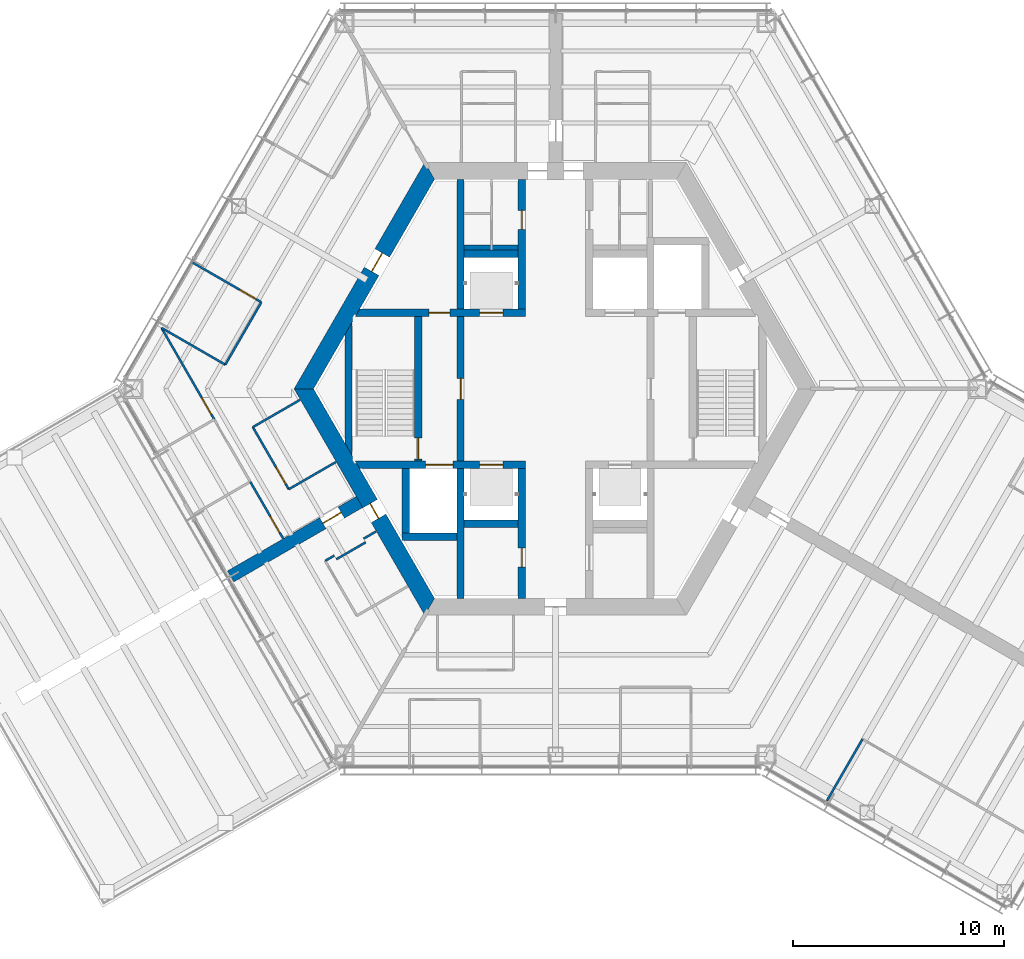
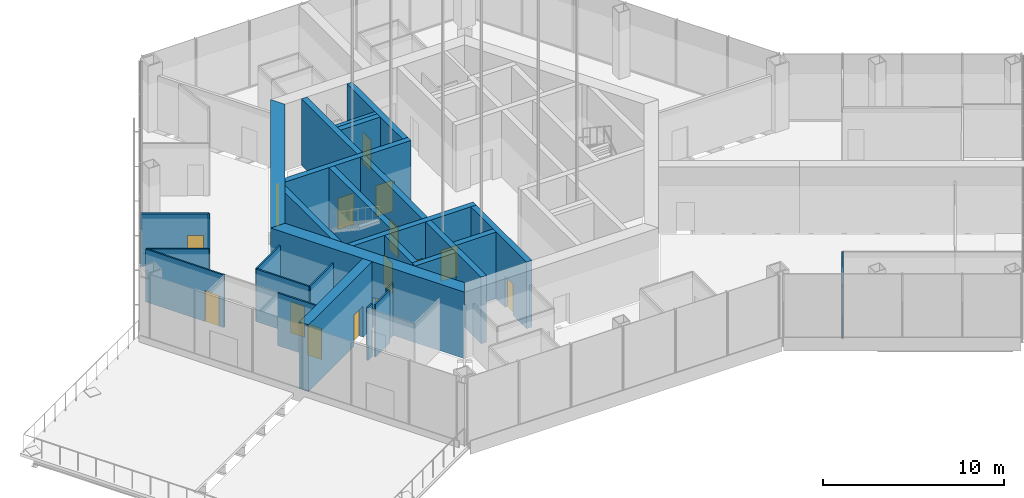
# One storey, part 9 of 17: 29 walls, 15 doors, 15 openings.
"""IFC4 building model written with IfcOpenShell, lengths in metres."""

import ifcopenshell
import ifcopenshell.guid

model = None  # the IFC model being written
_history = None  # IfcOwnerHistory: only IFC2X3 demands one
_inside = {}  # id of a spatial element -> (the spatial element, [elements in it])
_under = {}  # id of a project, library or spatial element -> (it, [spatial elements below it])
_declared = {}  # id of a project -> (the project, [libraries it declares])
_typed = {}  # id of a type object -> (the type object, [elements of that type])
_made_of = {}  # id of a material, layer set ... -> (it, [elements and type objects made of it])


def new_model(schema):
    """Start an empty IFC model of exactly this schema.

    Asked for "IFC4X3", IfcOpenShell would pick the latest addendum, in which some entities
    have other attributes; the version numbers below select the first issue.
    IFC2X3 requires an IfcOwnerHistory on every rooted entity: one is made here for all.
    """
    global model, _history
    if schema == "IFC4X3":
        model = ifcopenshell.file(schema_version=(4, 3, 0, 0))
    else:
        model = ifcopenshell.file(schema=schema)
    _inside.clear()
    _under.clear()
    _declared.clear()
    _typed.clear()
    _made_of.clear()
    _history = None
    if model.schema == "IFC2X3":
        org = make("IfcOrganization", Name="unknown")
        user = make(
            "IfcPersonAndOrganization",
            ThePerson=make("IfcPerson", FamilyName="unknown"),
            TheOrganization=org,
        )
        app = make(
            "IfcApplication",
            ApplicationDeveloper=org,
            Version="unknown",
            ApplicationFullName="unknown",
            ApplicationIdentifier="unknown",
        )
        _history = make(
            "IfcOwnerHistory",
            OwningUser=user,
            OwningApplication=app,
            ChangeAction="ADDED",
            CreationDate=0,
        )
    return model


def make(cls, **values):
    """One entity of the class cls with the attributes given. An attribute that is None is left unset."""
    return model.create_entity(
        cls, **{name: value for name, value in values.items() if value is not None}
    )


def rooted(cls, **values):
    """An entity with a GlobalId (a new one), such as an element, a storey or a relation."""
    return make(cls, GlobalId=ifcopenshell.guid.new(), OwnerHistory=_history, **values)


def si_unit(unit_type, name, prefix=None):
    """IfcSIUnit, for example si_unit("LENGTHUNIT", "METRE", prefix="MILLI")."""
    return make("IfcSIUnit", UnitType=unit_type, Prefix=prefix, Name=name)


def assignment(units):
    """IfcUnitAssignment: the units of a project."""
    return None if units is None else make("IfcUnitAssignment", Units=units)


def point(xyz):
    """IfcCartesianPoint."""
    return None if xyz is None else make("IfcCartesianPoint", Coordinates=xyz)


def direction(xyz):
    """IfcDirection."""
    return None if xyz is None else make("IfcDirection", DirectionRatios=xyz)


def frame(location, z_axis=None, x_axis=None):
    """IfcAxis2Placement3D, a coordinate frame: its origin and axes. An axis left out is left unset."""
    return make(
        "IfcAxis2Placement3D",
        Location=point(location),
        Axis=direction(z_axis),
        RefDirection=direction(x_axis),
    )


def frame_2d(location, x_axis=None):
    """IfcAxis2Placement2D, a coordinate frame in the plane: its origin and x axis."""
    return make(
        "IfcAxis2Placement2D", Location=point(location), RefDirection=direction(x_axis)
    )


def origin():
    """The frame at (0, 0, 0) with its axes left unset."""
    return frame((0.0, 0.0, 0.0))


def place(relative_to, where):
    """IfcLocalPlacement: puts the frame where relative to a parent placement (None: the world)."""
    return make(
        "IfcLocalPlacement", PlacementRelTo=relative_to, RelativePlacement=where
    )


def context(
    kind, dimensions, precision=None, world=None, true_north=None, identifier=None
):
    """IfcGeometricRepresentationContext, for example the 3D "Model" context."""
    return make(
        "IfcGeometricRepresentationContext",
        ContextIdentifier=identifier,
        ContextType=kind,
        CoordinateSpaceDimension=dimensions,
        Precision=precision,
        WorldCoordinateSystem=world,
        TrueNorth=true_north,
    )


def subcontext(parent, identifier, kind, view, scale=None):
    """IfcGeometricRepresentationSubContext, for example "Body" below "Model"."""
    return make(
        "IfcGeometricRepresentationSubContext",
        ContextIdentifier=identifier,
        ContextType=kind,
        ParentContext=parent,
        TargetScale=scale,
        TargetView=view,
    )


def project(units=None, contexts=None):
    """IfcProject with its units and contexts."""
    return rooted(
        "IfcProject",
        Name="project",
        RepresentationContexts=contexts,
        UnitsInContext=assignment(units),
    )


def spatial(cls, under=None, at=None, **own):
    """A site, building, storey or space (cls), placed at a placement, below another one or the project."""
    s = rooted(cls, ObjectPlacement=at, **own)
    if under is not None:
        _under.setdefault(under.id(), (under, []))[1].append(s)
    return s


def polyline(points):
    """IfcPolyline through the points."""
    return make("IfcPolyline", Points=[point(p) for p in points])


def profile(cls, at=None, kind="AREA", **sizes):
    """A parametric profile (cls). Its sizes go by their IFC names, for example OverallWidth=200.0."""
    return make(cls, ProfileType=kind, Position=at, **sizes)


def rectangle(**sizes):
    """IfcRectangleProfileDef."""
    return profile("IfcRectangleProfileDef", **sizes)


def outline(outer, holes=None, kind="AREA"):
    """IfcArbitraryClosedProfileDef: a profile drawn as a closed curve; with holes, ...WithVoids."""
    if holes is None:
        return make("IfcArbitraryClosedProfileDef", ProfileType=kind, OuterCurve=outer)
    return make(
        "IfcArbitraryProfileDefWithVoids",
        ProfileType=kind,
        OuterCurve=outer,
        InnerCurves=holes,
    )


def extrude(swept, where, along, depth):
    """IfcExtrudedAreaSolid: the profile swept, set in the frame where, extruded along a direction by depth."""
    return make(
        "IfcExtrudedAreaSolid",
        SweptArea=swept,
        Position=where,
        ExtrudedDirection=direction(along),
        Depth=depth,
    )


def shape(context_of_items, identifier, shape_type, items):
    """IfcShapeRepresentation: the items that make up one representation, for example the "Body"."""
    return make(
        "IfcShapeRepresentation",
        ContextOfItems=context_of_items,
        RepresentationIdentifier=identifier,
        RepresentationType=shape_type,
        Items=items,
    )


def material(Name=None, Category=None):
    """IfcMaterial."""
    return make("IfcMaterial", Name=Name, Category=Category)


def layer(
    of_material, thickness, ventilated=None, Name=None, Category=None, Priority=None
):
    """IfcMaterialLayer: one layer of a wall or slab, of a material (None: an air gap)."""
    return make(
        "IfcMaterialLayer",
        Material=of_material,
        LayerThickness=thickness,
        IsVentilated=ventilated,
        Name=Name,
        Category=Category,
        Priority=Priority,
    )


def layer_set(layers, Name=None):
    """IfcMaterialLayerSet."""
    return make("IfcMaterialLayerSet", MaterialLayers=layers, LayerSetName=Name)


def made_of(thing, what):
    """Note that an element or type object is made of a material, layer set ...; save() writes the relation."""
    if what is not None:
        _made_of.setdefault(what.id(), (what, []))[1].append(thing)
    return thing


def type_object(cls, material=None, **own):
    """A type object (cls), such as IfcWallType, which elements share."""
    return made_of(rooted(cls, **own), material)


def element(
    cls,
    number,
    at=None,
    inside=None,
    cuts=None,
    type_object=None,
    material=None,
    context=None,
    identifier="Body",
    shape_type=None,
    held_by="IfcProductDefinitionShape",
    body=None,
    shapes=None,
    **own,
):
    """One element of the class cls, such as IfcWall. Its Tag is "e" and its number.

    at: its placement. inside: the storey or other place that contains it. cuts: it is an
    opening in that element (IfcRelVoidsElement). A single representation is given by context,
    identifier, shape_type and body (its items); several are given by shapes. held_by: the class
    of the entity that holds the representations. save() writes the other relations.
    """
    e = rooted(cls, Tag="e%d" % number, ObjectPlacement=at, **own)
    if body is not None:
        shapes = [shape(context, identifier, shape_type, body)]
    if shapes is not None:
        e.Representation = make(held_by, Representations=shapes)
    if inside is not None:
        _inside.setdefault(inside.id(), (inside, []))[1].append(e)
    if cuts is not None:
        rooted(
            "IfcRelVoidsElement", RelatingBuildingElement=cuts, RelatedOpeningElement=e
        )
    if type_object is not None:
        _typed.setdefault(type_object.id(), (type_object, []))[1].append(e)
    return made_of(e, material)


def fill(opening, filler):
    """IfcRelFillsElement: the door or window that sits in an opening."""
    return rooted(
        "IfcRelFillsElement",
        RelatingOpeningElement=opening,
        RelatedBuildingElement=filler,
    )


def aggregate(whole, parts):
    """IfcRelAggregates: a whole, such as a stair, and the parts it consists of."""
    return rooted("IfcRelAggregates", RelatingObject=whole, RelatedObjects=parts)


def save(model, path):
    """Write the relations noted so far, then the file.

    IfcRelAggregates (storeys below a building ...), IfcRelContainedInSpatialStructure (elements
    in a storey), IfcRelDefinesByType, IfcRelAssociatesMaterial and IfcRelDeclares: one each for
    every whole, place, type object, material and project.
    """
    for whole, parts in _under.values():
        aggregate(whole, parts)
    for where, things in _inside.values():
        rooted(
            "IfcRelContainedInSpatialStructure",
            RelatedElements=things,
            RelatingStructure=where,
        )
    for kind, things in _typed.values():
        rooted("IfcRelDefinesByType", RelatedObjects=things, RelatingType=kind)
    for what, things in _made_of.values():
        rooted("IfcRelAssociatesMaterial", RelatedObjects=things, RelatingMaterial=what)
    for by, libraries in _declared.values():
        rooted("IfcRelDeclares", RelatingContext=by, RelatedDefinitions=libraries)
    model.write(path)


model = new_model("IFC4")

# Units and contexts
model_context = context("Model", 3, precision=1e-05, world=origin(), true_north=direction((0.0, 1.0)))
body_context = subcontext(model_context, "Body", "Model", "MODEL_VIEW")
ifc_project = project(units=[si_unit("LENGTHUNIT", "METRE"), si_unit("AREAUNIT", "SQUARE_METRE"), si_unit("VOLUMEUNIT", "CUBIC_METRE"), si_unit("PLANEANGLEUNIT", "RADIAN"), si_unit("MASSUNIT", "GRAM", prefix="KILO")], contexts=[model_context])

# Site, building, storey
site_placement = place(None, origin())
site = spatial("IfcSite", under=ifc_project, at=site_placement, CompositionType="ELEMENT")
building_placement = place(site_placement, origin())
building = spatial("IfcBuilding", under=site, at=building_placement, Name="Kasaneha Research Tower", CompositionType="ELEMENT")
storey_placement = place(building_placement, frame((0.0, 0.0, 208.300048828125)))
storey = spatial("IfcBuildingStorey", under=building, at=storey_placement, Name="L52", CompositionType="ELEMENT", Elevation=208.300048828125)

# Wall, openings, doors
ifc_material_1 = material(Name="Concrete Fc60", Category="concrete")
ifc_layer_1 = layer(ifc_material_1, 0.35009765625)
ifc_layer_set_1 = layer_set([ifc_layer_1], Name="Core internal wall 350 Fc60")
wall_type_1 = type_object("IfcWallType", Name="Core internal wall 350 Fc60", PredefinedType="SHEAR", material=ifc_layer_set_1)
wall_1_placement = place(storey_placement, frame((-9.3818359375, 3.60009765625, 0.0), z_axis=(0.0, 0.0, 1.0), x_axis=(1.0, 0.0, 0.0)))
wall_1 = element("IfcWall", 1, at=wall_1_placement, inside=storey, type_object=wall_type_1, Name="Core wall W1W L52", PredefinedType="SHEAR", context=body_context, shape_type="SweptSolid", body=[
    extrude(outline(polyline([(-0.10107421875, -0.175048828125), (3.3818359375, -0.175048828125), (4.3818359375, -0.175048828125), (5.781982421875, -0.175048828125), (6.882080078125, -0.175048828125), (7.956787109375, -0.175048828125), (7.956787109375, 0.175048828125), (6.882080078125, 0.175048828125), (5.781982421875, 0.175048828125), (4.3818359375, 0.175048828125), (3.3818359375, 0.175048828125), (0.10107421875, 0.175048828125), (-0.10107421875, -0.175048828125)])), origin(), (0.0, 0.0, 1.0), 4.5),
])
opening_1_placement = place(wall_1_placement, frame((3.3818359375, 0.0, 0.0)))
opening_1 = element("IfcOpeningElement", 2, at=opening_1_placement, cuts=wall_1, Name="Opening L52-D12", PredefinedType="OPENING", context=body_context, shape_type="SweptSolid", body=[
    extrude(rectangle(XDim=1.0, YDim=2.10009765625, at=frame_2d((0.5, 1.050048828125))), frame((0.0, 0.18505859375, 0.0), z_axis=(0.0, -1.0, 0.0), x_axis=(1.0, 0.0, 0.0)), (0.0, 0.0, 1.0), 0.3701171875),
])
opening_2_placement = place(wall_1_placement, frame((5.781982421875, 0.0, 0.0)))
opening_2 = element("IfcOpeningElement", 3, at=opening_2_placement, cuts=wall_1, Name="Opening LD-LH2-L52", PredefinedType="OPENING", context=body_context, shape_type="SweptSolid", body=[
    extrude(rectangle(XDim=1.10009765625, YDim=2.10009765625, at=frame_2d((0.550048828125, 1.050048828125))), frame((0.0, 0.18505859375, 0.0), z_axis=(0.0, -1.0, 0.0), x_axis=(1.0, 0.0, 0.0)), (0.0, 0.0, 1.0), 0.3701171875),
])
ifc_material_2 = material(Name="Steel", Category="steel")
door_type_1 = type_object("IfcDoorType", Name="Lift landing door 1100x2100", OperationType="DOUBLE_DOOR_SLIDING", PredefinedType="DOOR", material=ifc_material_2)
door_1_placement = place(opening_2_placement, origin())
door_1 = element("IfcDoor", 4, at=door_1_placement, inside=storey, type_object=door_type_1, Name="Landing door LH2 LD-LH2-L52", OperationType="DOUBLE_DOOR_SLIDING", OverallHeight=2.10009765625, OverallWidth=1.10009765625, PredefinedType="DOOR", context=body_context, shape_type="SweptSolid", body=[
    extrude(rectangle(XDim=1.10009765625, YDim=2.10009765625, at=frame_2d((0.550048828125, 1.050048828125))), frame((0.0, 0.02490234375, 0.0), z_axis=(0.0, -1.0, 0.0), x_axis=(1.0, 0.0, 0.0)), (0.0, 0.0, 1.0), 0.050048828125),
])
fill(opening_2, door_1)
ifc_material_3 = material(Name="Steel", Category="steel")
door_type_2 = type_object("IfcDoorType", Name="Specified fire door FD60 1000x2100", OperationType="NOTDEFINED", PredefinedType="DOOR", material=ifc_material_3)
door_2_placement = place(opening_1_placement, origin())
door_2 = element("IfcDoor", 5, at=door_2_placement, inside=storey, type_object=door_type_2, Name="Vestibule to lobby door L52-D12", OperationType="SINGLE_SWING_LEFT", OverallHeight=2.10009765625, OverallWidth=1.0, PredefinedType="DOOR", context=body_context, shape_type="SweptSolid", body=[
    extrude(rectangle(XDim=1.0, YDim=2.10009765625, at=frame_2d((0.5, 1.050048828125))), frame((0.0, 0.02490234375, 0.0), z_axis=(0.0, -1.0, 0.0), x_axis=(1.0, 0.0, 0.0)), (0.0, 0.0, 1.0), 0.050048828125),
])
fill(opening_1, door_2)

wall_2_placement = place(storey_placement, frame((-9.3818359375, -3.60009765625, 0.0), z_axis=(0.0, 0.0, 1.0), x_axis=(1.0, 0.0, 0.0)))
wall_2 = element("IfcWall", 6, at=wall_2_placement, inside=storey, type_object=wall_type_1, Name="Core wall W2W L52", PredefinedType="SHEAR", context=body_context, shape_type="SweptSolid", body=[
    extrude(outline(polyline([(0.10107421875, -0.175048828125), (3.23193359375, -0.175048828125), (4.531982421875, -0.175048828125), (5.781982421875, -0.175048828125), (6.882080078125, -0.175048828125), (7.956787109375, -0.175048828125), (7.956787109375, 0.175048828125), (6.882080078125, 0.175048828125), (5.781982421875, 0.175048828125), (4.531982421875, 0.175048828125), (3.23193359375, 0.175048828125), (-0.10107421875, 0.175048828125), (0.10107421875, -0.175048828125)])), origin(), (0.0, 0.0, 1.0), 4.5),
])
opening_3_placement = place(wall_2_placement, frame((5.781982421875, 0.0, 0.0)))
opening_3 = element("IfcOpeningElement", 7, at=opening_3_placement, cuts=wall_2, Name="Opening LD-LH1-L52", PredefinedType="OPENING", context=body_context, shape_type="SweptSolid", body=[
    extrude(rectangle(XDim=1.10009765625, YDim=2.10009765625, at=frame_2d((0.550048828125, 1.050048828125))), frame((0.0, 0.18505859375, 0.0), z_axis=(0.0, -1.0, 0.0), x_axis=(1.0, 0.0, 0.0)), (0.0, 0.0, 1.0), 0.3701171875),
])
opening_4_placement = place(wall_2_placement, frame((3.23193359375, 0.0, 0.0)))
opening_4 = element("IfcOpeningElement", 8, at=opening_4_placement, cuts=wall_2, Name="Opening LD-FL2-L52", PredefinedType="OPENING", context=body_context, shape_type="SweptSolid", body=[
    extrude(rectangle(XDim=1.300048828125, YDim=2.10009765625, at=frame_2d((0.64990234375, 1.050048828125))), frame((0.0, 0.18505859375, 0.0), z_axis=(0.0, -1.0, 0.0), x_axis=(1.0, 0.0, 0.0)), (0.0, 0.0, 1.0), 0.3701171875),
])
door_3_placement = place(opening_3_placement, origin())
door_3 = element("IfcDoor", 9, at=door_3_placement, inside=storey, type_object=door_type_1, Name="Landing door LH1 LD-LH1-L52", OperationType="DOUBLE_DOOR_SLIDING", OverallHeight=2.10009765625, OverallWidth=1.10009765625, PredefinedType="DOOR", context=body_context, shape_type="SweptSolid", body=[
    extrude(rectangle(XDim=1.10009765625, YDim=2.10009765625, at=frame_2d((0.550048828125, 1.050048828125))), frame((0.0, 0.02490234375, 0.0), z_axis=(0.0, -1.0, 0.0), x_axis=(1.0, 0.0, 0.0)), (0.0, 0.0, 1.0), 0.050048828125),
])
fill(opening_3, door_3)
ifc_material_4 = material(Name="Steel", Category="steel")
door_type_3 = type_object("IfcDoorType", Name="Lift landing door 1300x2100", OperationType="DOUBLE_DOOR_SLIDING", PredefinedType="DOOR", material=ifc_material_4)
door_4_placement = place(opening_4_placement, origin())
door_4 = element("IfcDoor", 10, at=door_4_placement, inside=storey, type_object=door_type_3, Name="Landing door FL2 LD-FL2-L52", OperationType="DOUBLE_DOOR_SLIDING", OverallHeight=2.10009765625, OverallWidth=1.300048828125, PredefinedType="DOOR", context=body_context, shape_type="SweptSolid", body=[
    extrude(rectangle(XDim=1.300048828125, YDim=2.10009765625, at=frame_2d((0.64990234375, 1.050048828125))), frame((0.0, 0.02490234375, 0.0), z_axis=(0.0, -1.0, 0.0), x_axis=(1.0, 0.0, 0.0)), (0.0, 0.0, 1.0), 0.050048828125),
])
fill(opening_4, door_4)

# Wall, opening, door
wall_3_placement = place(storey_placement, frame((-1.60009765625, 3.77490234375, 0.0), z_axis=(0.0, 0.0, 1.0), x_axis=(0.0, 1.0, 0.0)))
wall_3 = element("IfcWall", 11, at=wall_3_placement, inside=storey, type_object=wall_type_1, Name="Core wall CNW L52", PredefinedType="SHEAR", context=body_context, shape_type="SweptSolid", body=[
    extrude(rectangle(XDim=6.150146484375, YDim=0.35009765625, at=frame_2d((3.0751953125, 0.0))), origin(), (0.0, 0.0, 1.0), 4.5),
])
opening_5_placement = place(wall_3_placement, frame((3.77490234375, 0.0, 0.0)))
opening_5 = element("IfcOpeningElement", 12, at=opening_5_placement, cuts=wall_3, Name="Opening L52-D13", PredefinedType="OPENING", context=body_context, shape_type="SweptSolid", body=[
    extrude(rectangle(XDim=0.89990234375, YDim=2.10009765625, at=frame_2d((0.449951171875, 1.050048828125))), frame((0.0, 0.18505859375, 0.0), z_axis=(0.0, -1.0, 0.0), x_axis=(1.0, 0.0, 0.0)), (0.0, 0.0, 1.0), 0.3701171875),
])
ifc_material_5 = material(Name="Steel", Category="steel")
door_type_4 = type_object("IfcDoorType", Name="Toilet door FD20 900x2100", OperationType="NOTDEFINED", PredefinedType="DOOR", material=ifc_material_5)
door_5_placement = place(opening_5_placement, origin())
door_5 = element("IfcDoor", 13, at=door_5_placement, inside=storey, type_object=door_type_4, Name="Men's WC door L52-D13", OperationType="SINGLE_SWING_LEFT", OverallHeight=2.10009765625, OverallWidth=0.89990234375, PredefinedType="DOOR", context=body_context, shape_type="SweptSolid", body=[
    extrude(rectangle(XDim=0.89990234375, YDim=2.10009765625, at=frame_2d((0.449951171875, 1.050048828125))), frame((0.0, 0.02490234375, 0.0), z_axis=(0.0, -1.0, 0.0), x_axis=(1.0, 0.0, 0.0)), (0.0, 0.0, 1.0), 0.050048828125),
])
fill(opening_5, door_5)

wall_4_placement = place(storey_placement, frame((-1.60009765625, -3.77490234375, 0.0), z_axis=(0.0, 0.0, 1.0), x_axis=(0.0, -1.0, 0.0)))
wall_4 = element("IfcWall", 14, at=wall_4_placement, inside=storey, type_object=wall_type_1, Name="Core wall CSW L52", PredefinedType="SHEAR", context=body_context, shape_type="SweptSolid", body=[
    extrude(rectangle(XDim=6.150146484375, YDim=0.35009765625, at=frame_2d((3.0751953125, 0.0))), origin(), (0.0, 0.0, 1.0), 4.5),
])
opening_6_placement = place(wall_4_placement, frame((3.77490234375, 0.0, 0.0)))
opening_6 = element("IfcOpeningElement", 15, at=opening_6_placement, cuts=wall_4, Name="Opening L52-D16", PredefinedType="OPENING", context=body_context, shape_type="SweptSolid", body=[
    extrude(rectangle(XDim=0.89990234375, YDim=2.10009765625, at=frame_2d((0.449951171875, 1.050048828125))), frame((0.0, 0.18505859375, 0.0), z_axis=(0.0, -1.0, 0.0), x_axis=(1.0, 0.0, 0.0)), (0.0, 0.0, 1.0), 0.3701171875),
])
ifc_material_6 = material(Name="Steel", Category="steel")
door_type_5 = type_object("IfcDoorType", Name="Riser access door FD60 900x2100", OperationType="NOTDEFINED", PredefinedType="DOOR", material=ifc_material_6)
door_6_placement = place(opening_6_placement, origin())
door_6 = element("IfcDoor", 16, at=door_6_placement, inside=storey, type_object=door_type_5, Name="Electrical riser door L52-D16", OperationType="SINGLE_SWING_LEFT", OverallHeight=2.10009765625, OverallWidth=0.89990234375, PredefinedType="DOOR", context=body_context, shape_type="SweptSolid", body=[
    extrude(rectangle(XDim=0.89990234375, YDim=2.10009765625, at=frame_2d((0.449951171875, 1.050048828125))), frame((0.0, 0.02490234375, 0.0), z_axis=(0.0, -1.0, 0.0), x_axis=(1.0, 0.0, 0.0)), (0.0, 0.0, 1.0), 0.050048828125),
])
fill(opening_6, door_6)

wall_5_placement = place(storey_placement, frame((-4.5, -3.425048828125, 0.0), z_axis=(0.0, 0.0, 1.0), x_axis=(0.0, 1.0, 0.0)))
wall_5 = element("IfcWall", 17, at=wall_5_placement, inside=storey, type_object=wall_type_1, Name="Core wall LBW L52", PredefinedType="SHEAR", context=body_context, shape_type="SweptSolid", body=[
    extrude(rectangle(XDim=6.85009765625, YDim=0.35009765625, at=frame_2d((3.425048828125, 0.0))), origin(), (0.0, 0.0, 1.0), 4.5),
])
opening_7_placement = place(wall_5_placement, frame((2.925048828125, 0.0, 0.0)))
opening_7 = element("IfcOpeningElement", 18, at=opening_7_placement, cuts=wall_5, Name="Opening L52-D09", PredefinedType="OPENING", context=body_context, shape_type="SweptSolid", body=[
    extrude(rectangle(XDim=1.0, YDim=2.10009765625, at=frame_2d((0.5, 1.050048828125))), frame((0.0, 0.18505859375, 0.0), z_axis=(0.0, -1.0, 0.0), x_axis=(1.0, 0.0, 0.0)), (0.0, 0.0, 1.0), 0.3701171875),
])
door_7_placement = place(opening_7_placement, origin())
door_7 = element("IfcDoor", 19, at=door_7_placement, inside=storey, type_object=door_type_2, Name="Lift lobby door west L52-D09", OperationType="SINGLE_SWING_LEFT", OverallHeight=2.10009765625, OverallWidth=1.0, PredefinedType="DOOR", context=body_context, shape_type="SweptSolid", body=[
    extrude(rectangle(XDim=1.0, YDim=2.10009765625, at=frame_2d((0.5, 1.050048828125))), frame((0.0, 0.02490234375, 0.0), z_axis=(0.0, -1.0, 0.0), x_axis=(1.0, 0.0, 0.0)), (0.0, 0.0, 1.0), 0.050048828125),
])
fill(opening_7, door_7)

wall_6_placement = place(storey_placement, frame((-6.5, -3.425048828125, 0.0), z_axis=(0.0, 0.0, 1.0), x_axis=(0.0, 1.0, 0.0)))
wall_6 = element("IfcWall", 20, at=wall_6_placement, inside=storey, type_object=wall_type_1, Name="Core wall ANW L52", PredefinedType="SHEAR", context=body_context, shape_type="SweptSolid", body=[
    extrude(rectangle(XDim=6.85009765625, YDim=0.35009765625, at=frame_2d((3.425048828125, 0.0))), origin(), (0.0, 0.0, 1.0), 4.5),
])
opening_8_placement = place(wall_6_placement, frame((0.10009765625, 0.0, 0.0)))
opening_8 = element("IfcOpeningElement", 21, at=opening_8_placement, cuts=wall_6, Name="Opening L52-D11", PredefinedType="OPENING", context=body_context, shape_type="SweptSolid", body=[
    extrude(rectangle(XDim=1.0, YDim=2.10009765625, at=frame_2d((0.5, 1.050048828125))), frame((0.0, 0.18505859375, 0.0), z_axis=(0.0, -1.0, 0.0), x_axis=(1.0, 0.0, 0.0)), (0.0, 0.0, 1.0), 0.3701171875),
])
door_8_placement = place(opening_8_placement, origin())
door_8 = element("IfcDoor", 22, at=door_8_placement, inside=storey, type_object=door_type_2, Name="Stair 2 door L52-D11", OperationType="SINGLE_SWING_LEFT", OverallHeight=2.10009765625, OverallWidth=1.0, PredefinedType="DOOR", context=body_context, shape_type="SweptSolid", body=[
    extrude(rectangle(XDim=1.0, YDim=2.10009765625, at=frame_2d((0.5, 1.050048828125))), frame((0.0, 0.02490234375, 0.0), z_axis=(0.0, -1.0, 0.0), x_axis=(1.0, 0.0, 0.0)), (0.0, 0.0, 1.0), 0.050048828125),
])
fill(opening_8, door_8)

# Walls
for number, where, z_axis, x_axis, name in (
    (23, (-4.5, 3.77490234375, 0.0), (0.0, 0.0, 1.0), (0.0, 1.0, 0.0), "Core wall VNW L52"),
    (24, (-4.5, -3.77490234375, 0.0), (0.0, 0.0, 1.0), (0.0, -1.0, 0.0), "Core wall SSW L52"),
):
    element("IfcWall", number, at=place(storey_placement, frame(where, z_axis=z_axis, x_axis=x_axis)), inside=storey, type_object=wall_type_1, Name=name, PredefinedType="SHEAR", context=body_context, shape_type="SweptSolid", body=[
        extrude(rectangle(XDim=6.150146484375, YDim=0.35009765625, at=frame_2d((3.0751953125, 0.0))), origin(), (0.0, 0.0, 1.0), 4.5),
    ])
for number, where, z_axis, x_axis, name in (
    (25, (-4.324951171875, 6.39990234375, 0.0), (0.0, 0.0, 1.0), (1.0, 0.0, 0.0), "Core wall N1N L52"),
    (26, (-4.324951171875, -6.39990234375, 0.0), (0.0, 0.0, 1.0), (1.0, 0.0, 0.0), "Core wall S1S L52"),
):
    element("IfcWall", number, at=place(storey_placement, frame(where, z_axis=z_axis, x_axis=x_axis)), inside=storey, type_object=wall_type_1, Name=name, PredefinedType="SHEAR", context=body_context, shape_type="SweptSolid", body=[
        extrude(rectangle(XDim=2.550048828125, YDim=0.35009765625, at=frame_2d((1.27490234375, 0.0))), origin(), (0.0, 0.0, 1.0), 4.5),
    ])
wall_7_placement = place(storey_placement, frame((-7.27490234375, -7.0, 0.0), z_axis=(0.0, 0.0, 1.0), x_axis=(1.0, 0.0, 0.0)))
element("IfcWall", 27, at=wall_7_placement, inside=storey, type_object=wall_type_1, Name="Core wall F2S L52", PredefinedType="SHEAR", context=body_context, shape_type="SweptSolid", body=[
    extrude(rectangle(XDim=2.599853515625, YDim=0.35009765625, at=frame_2d((1.2998046875, 0.0))), origin(), (0.0, 0.0, 1.0), 4.5),
])
wall_8_placement = place(storey_placement, frame((-7.10009765625, -3.77490234375, 0.0), z_axis=(0.0, 0.0, 1.0), x_axis=(0.0, -1.0, 0.0)))
element("IfcWall", 28, at=wall_8_placement, inside=storey, type_object=wall_type_1, Name="Core wall F2W L52", PredefinedType="SHEAR", context=body_context, shape_type="SweptSolid", body=[
    extrude(rectangle(XDim=3.050048828125, YDim=0.35009765625, at=frame_2d((1.52490234375, 0.0))), origin(), (0.0, 0.0, 1.0), 4.5),
])
wall_9_placement = place(storey_placement, frame((-9.807861328125, -2.8623046875, 0.0), z_axis=(0.0, 0.0, 1.0), x_axis=(0.0, 1.0, 0.0)))
element("IfcWall", 29, at=wall_9_placement, inside=storey, type_object=wall_type_1, Name="Core wall STW L52", PredefinedType="SHEAR", context=body_context, shape_type="SweptSolid", body=[
    extrude(outline(polyline([(-0.30322265625, -0.175048828125), (6.02783203125, -0.175048828125), (5.42138671875, 0.175048828125), (0.30322265625, 0.175048828125), (-0.30322265625, -0.175048828125)])), origin(), (0.0, 0.0, 1.0), 4.5),
])

# Wall, opening, door
ifc_material_7 = material(Name="Concrete Fc60", Category="concrete")
ifc_layer_2 = layer(ifc_material_7, 0.800048828125)
ifc_layer_set_2 = layer_set([ifc_layer_2], Name="Core wall 800 Fc60")
wall_type_2 = type_object("IfcWallType", Name="Core wall 800 Fc60", PredefinedType="SHEAR", material=ifc_layer_set_2)
wall_10_placement = place(storey_placement, frame((-5.961181640625, 10.324951171875, 0.0), z_axis=(0.0, 0.0, 1.0), x_axis=(-0.500004296715, -0.866022923061, 0.0)))
wall_10 = element("IfcWall", 30, at=wall_10_placement, inside=storey, type_object=wall_type_2, Name="Core wall 150 L52", PredefinedType="SHEAR", context=body_context, shape_type="SweptSolid", body=[
    extrude(outline(polyline([(-0.23095703125, -0.39990234375), (4.494140625, -0.39990234375), (5.494140625, -0.39990234375), (12.1533203125, -0.39990234375), (11.69140625, 0.39990234375), (5.494140625, 0.39990234375), (4.494140625, 0.39990234375), (0.23095703125, 0.39990234375), (-0.23095703125, -0.39990234375)])), origin(), (0.0, 0.0, 1.0), 4.5),
])
opening_9_placement = place(wall_10_placement, frame((4.494140625, 0.0, 0.0)))
opening_9 = element("IfcOpeningElement", 31, at=opening_9_placement, cuts=wall_10, Name="Opening L52-D07", PredefinedType="OPENING", context=body_context, shape_type="SweptSolid", body=[
    extrude(rectangle(XDim=1.0, YDim=2.10009765625, at=frame_2d((0.5, 1.050048828125))), frame((0.0, 0.41015625, 0.0), z_axis=(0.0, -1.0, 0.0), x_axis=(1.0, 0.0, 0.0)), (0.0, 0.0, 1.0), 0.820068359375),
])
ifc_material_8 = material(Name="Steel", Category="steel")
door_type_6 = type_object("IfcDoorType", Name="Fire door FD20 1000x2100", OperationType="NOTDEFINED", PredefinedType="DOOR", material=ifc_material_8)
door_9_placement = place(opening_9_placement, origin())
door_9 = element("IfcDoor", 32, at=door_9_placement, inside=storey, type_object=door_type_6, Name="Vestibule door L52-D07", OperationType="SINGLE_SWING_LEFT", OverallHeight=2.10009765625, OverallWidth=1.0, PredefinedType="DOOR", context=body_context, shape_type="SweptSolid", body=[
    extrude(rectangle(XDim=1.0, YDim=2.10009765625, at=frame_2d((0.5, 1.050048828125))), frame((0.0, 0.02490234375, 0.0), z_axis=(0.0, -1.0, 0.0), x_axis=(1.0, 0.0, 0.0)), (0.0, 0.0, 1.0), 0.050048828125),
])
fill(opening_9, door_9)

wall_11_placement = place(storey_placement, frame((-11.92236328125, 0.0, 0.0), z_axis=(0.0, 0.0, 1.0), x_axis=(0.500004296715, -0.866022923061, 0.0)))
wall_11 = element("IfcWall", 33, at=wall_11_placement, inside=storey, type_object=wall_type_2, Name="Core wall 210 L52", PredefinedType="SHEAR", context=body_context, shape_type="SweptSolid", body=[
    extrude(outline(polyline([(-0.23095703125, -0.39990234375), (6.28125, -0.39990234375), (7.081298828125, -0.39990234375), (12.1533203125, -0.39990234375), (11.69140625, 0.39990234375), (7.081298828125, 0.39990234375), (6.28125, 0.39990234375), (0.23095703125, 0.39990234375), (-0.23095703125, -0.39990234375)])), origin(), (0.0, 0.0, 1.0), 4.5),
])
opening_10_placement = place(wall_11_placement, frame((6.28125, 0.0, 0.0)))
opening_10 = element("IfcOpeningElement", 34, at=opening_10_placement, cuts=wall_11, Name="Opening L52-D06", PredefinedType="OPENING", context=body_context, shape_type="SweptSolid", body=[
    extrude(rectangle(XDim=0.800048828125, YDim=2.10009765625, at=frame_2d((0.39990234375, 1.050048828125))), frame((0.0, 0.41015625, 0.0), z_axis=(0.0, -1.0, 0.0), x_axis=(1.0, 0.0, 0.0)), (0.0, 0.0, 1.0), 0.820068359375),
])
ifc_material_9 = material(Name="Steel", Category="steel")
door_type_7 = type_object("IfcDoorType", Name="Riser access door FD60 800x2100", OperationType="NOTDEFINED", PredefinedType="DOOR", material=ifc_material_9)
door_10_placement = place(opening_10_placement, origin())
door_10 = element("IfcDoor", 35, at=door_10_placement, inside=storey, type_object=door_type_7, Name="Duct riser door L52-D06", OperationType="SINGLE_SWING_RIGHT", OverallHeight=2.10009765625, OverallWidth=0.800048828125, PredefinedType="DOOR", context=body_context, shape_type="SweptSolid", body=[
    extrude(rectangle(XDim=0.800048828125, YDim=2.10009765625, at=frame_2d((0.39990234375, 1.050048828125))), frame((0.0, 0.02490234375, 0.0), z_axis=(0.0, -1.0, 0.0), x_axis=(1.0, 0.0, 0.0)), (0.0, 0.0, 1.0), 0.050048828125),
])
fill(opening_10, door_10)

ifc_material_10 = material(Name="Gypsum board on steel studs, one layer each side", Category="steel")
ifc_layer_3 = layer(ifc_material_10, 0.10009765625)
ifc_layer_set_3 = layer_set([ifc_layer_3], Name="Office partition 100")
wall_type_3 = type_object("IfcWallType", Name="Office partition 100", PredefinedType="PARTITIONING", material=ifc_layer_set_3)
wall_12_placement = place(storey_placement, frame((-17.21875, 5.997314453125, 0.0), z_axis=(0.0, 0.0, 1.0), x_axis=(0.86602253128, -0.50000497529, 0.0)))
wall_12 = element("IfcWall", 36, at=wall_12_placement, inside=storey, type_object=wall_type_3, Name="Office partition FBN04 L52", PredefinedType="PARTITIONING", context=body_context, shape_type="SweptSolid", body=[
    extrude(rectangle(XDim=3.7900390625, YDim=0.10009765625, at=frame_2d((1.89501953125, 0.0))), origin(), (0.0, 0.0, 1.0), 3.550048828125),
])
opening_11_placement = place(wall_12_placement, frame((2.58984375, 0.0, 0.0)))
opening_11 = element("IfcOpeningElement", 37, at=opening_11_placement, cuts=wall_12, Name="Opening L52-D32", PredefinedType="OPENING", context=body_context, shape_type="SweptSolid", body=[
    extrude(rectangle(XDim=0.89990234375, YDim=2.10009765625, at=frame_2d((0.449951171875, 1.050048828125))), frame((0.0, 0.06005859375, 0.0), z_axis=(0.0, -1.0, 0.0), x_axis=(1.0, 0.0, 0.0)), (0.0, 0.0, 1.0), 0.1201171875),
])
ifc_material_11 = material(Name="Timber veneer", Category="wood")
door_type_8 = type_object("IfcDoorType", Name="Office door 900x2100", OperationType="SINGLE_SWING_LEFT", PredefinedType="DOOR", material=ifc_material_11)
door_11_placement = place(opening_11_placement, origin())
door_11 = element("IfcDoor", 38, at=door_11_placement, inside=storey, type_object=door_type_8, Name="Meeting room door L52-D32", OperationType="SINGLE_SWING_RIGHT", OverallHeight=2.10009765625, OverallWidth=0.89990234375, PredefinedType="DOOR", context=body_context, shape_type="SweptSolid", body=[
    extrude(rectangle(XDim=0.89990234375, YDim=2.10009765625, at=frame_2d((0.449951171875, 1.050048828125))), frame((0.0, 0.02490234375, 0.0), z_axis=(0.0, -1.0, 0.0), x_axis=(1.0, 0.0, 0.0)), (0.0, 0.0, 1.0), 0.050048828125),
])
fill(opening_11, door_11)

# Walls
wall_13_placement = place(storey_placement, frame((-15.644287109375, 1.14453125, 0.0), z_axis=(0.0, 0.0, 1.0), x_axis=(-0.86603534831, 0.499982775181, 0.0)))
element("IfcWall", 39, at=wall_13_placement, inside=storey, type_object=wall_type_3, Name="Office partition FBN05 L52", PredefinedType="PARTITIONING", context=body_context, shape_type="SweptSolid", body=[
    extrude(rectangle(XDim=3.49072265625, YDim=0.10009765625, at=frame_2d((1.745361328125, 0.0))), origin(), (0.0, 0.0, 1.0), 3.550048828125),
])
wall_14_placement = place(storey_placement, frame((-13.9365234375, 4.102294921875, 0.0), z_axis=(0.0, 0.0, 1.0), x_axis=(-0.500021524473, -0.866012976267, 0.0)))
element("IfcWall", 40, at=wall_14_placement, inside=storey, type_object=wall_type_3, Name="Office partition FBN06 L52", PredefinedType="PARTITIONING", context=body_context, shape_type="SweptSolid", body=[
    extrude(rectangle(XDim=3.415283203125, YDim=0.10009765625, at=frame_2d((1.70751953125, 0.0))), origin(), (0.0, 0.0, 1.0), 3.550048828125),
])
wall_15_placement = place(storey_placement, frame((-14.33984375, -1.812744140625, 0.0), z_axis=(0.0, 0.0, 1.0), x_axis=(0.866021702275, 0.500006411147, 0.0)))
element("IfcWall", 41, at=wall_15_placement, inside=storey, type_object=wall_type_3, Name="Office partition FBN07 L52", PredefinedType="PARTITIONING", context=body_context, shape_type="SweptSolid", body=[
    extrude(rectangle(XDim=2.580078125, YDim=0.10009765625, at=frame_2d((1.2900390625, 0.0))), origin(), (0.0, 0.0, 1.0), 3.550048828125),
])

# Wall, opening, door
wall_16_placement = place(storey_placement, frame((-12.639892578125, -4.757080078125, 0.0), z_axis=(0.0, 0.0, 1.0), x_axis=(-0.500008388397, 0.866020560687, 0.0)))
wall_16 = element("IfcWall", 42, at=wall_16_placement, inside=storey, type_object=wall_type_3, Name="Office partition FBN08 L52", PredefinedType="PARTITIONING", context=body_context, shape_type="SweptSolid", body=[
    extrude(rectangle(XDim=3.39990234375, YDim=0.10009765625, at=frame_2d((1.699951171875, 0.0))), origin(), (0.0, 0.0, 1.0), 3.550048828125),
])
opening_12_placement = place(wall_16_placement, frame((0.300048828125, 0.0, 0.0)))
opening_12 = element("IfcOpeningElement", 43, at=opening_12_placement, cuts=wall_16, Name="Opening L52-D33", PredefinedType="OPENING", context=body_context, shape_type="SweptSolid", body=[
    extrude(rectangle(XDim=0.89990234375, YDim=2.10009765625, at=frame_2d((0.449951171875, 1.050048828125))), frame((0.0, 0.06005859375, 0.0), z_axis=(0.0, -1.0, 0.0), x_axis=(1.0, 0.0, 0.0)), (0.0, 0.0, 1.0), 0.1201171875),
])
door_12_placement = place(opening_12_placement, origin())
door_12 = element("IfcDoor", 44, at=door_12_placement, inside=storey, type_object=door_type_8, Name="Wellness room door L52-D33", OperationType="SINGLE_SWING_LEFT", OverallHeight=2.10009765625, OverallWidth=0.89990234375, PredefinedType="DOOR", context=body_context, shape_type="SweptSolid", body=[
    extrude(rectangle(XDim=0.89990234375, YDim=2.10009765625, at=frame_2d((0.449951171875, 1.050048828125))), frame((0.0, 0.02490234375, 0.0), z_axis=(0.0, -1.0, 0.0), x_axis=(1.0, 0.0, 0.0)), (0.0, 0.0, 1.0), 0.050048828125),
])
fill(opening_12, door_12)

# Wall
wall_17_placement = place(storey_placement, frame((-10.405517578125, -3.46728515625, 0.0), z_axis=(0.0, 0.0, 1.0), x_axis=(-0.866062676131, -0.499935436844, 0.0)))
element("IfcWall", 45, at=wall_17_placement, inside=storey, type_object=wall_type_3, Name="Office partition FBN09 L52", PredefinedType="PARTITIONING", context=body_context, shape_type="SweptSolid", body=[
    extrude(rectangle(XDim=2.579833984375, YDim=0.10009765625, at=frame_2d((1.2900390625, 0.0))), origin(), (0.0, 0.0, 1.0), 3.550048828125),
])

# Wall, opening, door
wall_18_placement = place(storey_placement, frame((-14.459716796875, -4.404541015625, 0.0), z_axis=(0.0, 0.0, 1.0), x_axis=(0.501235238742, -0.865311062823, 0.0)))
wall_18 = element("IfcWall", 46, at=wall_18_placement, inside=storey, type_object=wall_type_3, Name="Office partition FBN13 L52", PredefinedType="PARTITIONING", context=body_context, shape_type="SweptSolid", body=[
    extrude(rectangle(XDim=3.095458984375, YDim=0.10009765625, at=frame_2d((1.5478515625, 0.0))), origin(), (0.0, 0.0, 1.0), 3.550048828125),
])
opening_13_placement = place(wall_18_placement, frame((1.8955078125, 0.0, 0.0)))
opening_13 = element("IfcOpeningElement", 47, at=opening_13_placement, cuts=wall_18, Name="Opening L52-D35", PredefinedType="OPENING", context=body_context, shape_type="SweptSolid", body=[
    extrude(rectangle(XDim=0.89990234375, YDim=2.10009765625, at=frame_2d((0.449951171875, 1.050048828125))), frame((0.0, 0.06005859375, 0.0), z_axis=(0.0, -1.0, 0.0), x_axis=(1.0, 0.0, 0.0)), (0.0, 0.0, 1.0), 0.1201171875),
])
door_13_placement = place(opening_13_placement, origin())
door_13 = element("IfcDoor", 48, at=door_13_placement, inside=storey, type_object=door_type_8, Name="Phone room door L52-D35", OperationType="SINGLE_SWING_RIGHT", OverallHeight=2.10009765625, OverallWidth=0.89990234375, PredefinedType="DOOR", context=body_context, shape_type="SweptSolid", body=[
    extrude(rectangle(XDim=0.89990234375, YDim=2.10009765625, at=frame_2d((0.449951171875, 1.050048828125))), frame((0.0, 0.02490234375, 0.0), z_axis=(0.0, -1.0, 0.0), x_axis=(1.0, 0.0, 0.0)), (0.0, 0.0, 1.0), 0.050048828125),
])
fill(opening_13, door_13)

wall_19_placement = place(storey_placement, frame((-18.66748046875, 2.889892578125, 0.0), z_axis=(0.0, 0.0, 1.0), x_axis=(0.499455006787, -0.866339827202, 0.0)))
wall_19 = element("IfcWall", 49, at=wall_19_placement, inside=storey, type_object=wall_type_3, Name="Office partition FBN14 L52", PredefinedType="PARTITIONING", context=body_context, shape_type="SweptSolid", body=[
    extrude(rectangle(XDim=5.00537109375, YDim=0.10009765625, at=frame_2d((2.502685546875, 0.0))), origin(), (0.0, 0.0, 1.0), 3.550048828125),
])
opening_14_placement = place(wall_19_placement, frame((3.8056640625, 0.0, 0.0)))
opening_14 = element("IfcOpeningElement", 50, at=opening_14_placement, cuts=wall_19, Name="Opening L52-D36", PredefinedType="OPENING", context=body_context, shape_type="SweptSolid", body=[
    extrude(rectangle(XDim=0.89990234375, YDim=2.10009765625, at=frame_2d((0.449951171875, 1.050048828125))), frame((0.0, 0.06005859375, 0.0), z_axis=(0.0, -1.0, 0.0), x_axis=(1.0, 0.0, 0.0)), (0.0, 0.0, 1.0), 0.1201171875),
])
door_14_placement = place(opening_14_placement, origin())
door_14 = element("IfcDoor", 51, at=door_14_placement, inside=storey, type_object=door_type_8, Name="Workroom door L52-D36", OperationType="SINGLE_SWING_RIGHT", OverallHeight=2.10009765625, OverallWidth=0.89990234375, PredefinedType="DOOR", context=body_context, shape_type="SweptSolid", body=[
    extrude(rectangle(XDim=0.89990234375, YDim=2.10009765625, at=frame_2d((0.449951171875, 1.050048828125))), frame((0.0, 0.02490234375, 0.0), z_axis=(0.0, -1.0, 0.0), x_axis=(1.0, 0.0, 0.0)), (0.0, 0.0, 1.0), 0.050048828125),
])
fill(opening_14, door_14)

# Walls
wall_20_placement = place(storey_placement, frame((-10.9130859375, -8.148193359375, 0.0), z_axis=(0.0, 0.0, 1.0), x_axis=(0.866071776036, 0.499919672301, 0.0)))
element("IfcWall", 52, at=wall_20_placement, inside=storey, type_object=wall_type_3, Name="Office partition FBS01 L52", PredefinedType="PARTITIONING", context=body_context, shape_type="SweptSolid", body=[
    extrude(rectangle(XDim=0.5, YDim=0.10009765625, at=frame_2d((0.25, 0.0))), origin(), (0.0, 0.0, 1.0), 3.550048828125),
])
wall_21_placement = place(storey_placement, frame((-10.3798828125, -8.0712890625, 0.0), z_axis=(0.0, 0.0, 1.0), x_axis=(0.865989903783, 0.500061482766, 0.0)))
element("IfcWall", 53, at=wall_21_placement, inside=storey, type_object=wall_type_3, Name="Office partition FBS02 L52", PredefinedType="PARTITIONING", context=body_context, shape_type="SweptSolid", body=[
    extrude(rectangle(XDim=1.599853515625, YDim=0.10009765625, at=frame_2d((0.7998046875, 0.0))), origin(), (0.0, 0.0, 1.0), 3.550048828125),
])
wall_22_placement = place(storey_placement, frame((-9.09423828125, -7.09814453125, 0.0), z_axis=(0.0, 0.0, 1.0), x_axis=(0.865958369053, 0.50011608959, 0.0)))
element("IfcWall", 54, at=wall_22_placement, inside=storey, type_object=wall_type_3, Name="Office partition FBS04 L52", PredefinedType="PARTITIONING", context=body_context, shape_type="SweptSolid", body=[
    extrude(rectangle(XDim=0.679931640625, YDim=0.10009765625, at=frame_2d((0.33984375, 0.0))), origin(), (0.0, 0.0, 1.0), 3.550048828125),
])
wall_23_placement = place(storey_placement, frame((12.857177734375, -19.5126953125, 0.0), z_axis=(0.0, 0.0, 1.0), x_axis=(0.500019282102, 0.866014270972, 0.0)))
element("IfcWall", 55, at=wall_23_placement, inside=storey, type_object=wall_type_3, Name="Office partition FCS05 L52", PredefinedType="PARTITIONING", context=body_context, shape_type="SweptSolid", body=[
    extrude(rectangle(XDim=3.369873046875, YDim=0.10009765625, at=frame_2d((1.68505859375, 0.0))), origin(), (0.0, 0.0, 1.0), 3.550048828125),
])

# Wall, opening, door
ifc_material_12 = material(Name="Concrete Fc60", Category="concrete")
ifc_layer_4 = layer(ifc_material_12, 0.60009765625)
ifc_layer_set_4 = layer_set([ifc_layer_4], Name="Spine wall 600 Fc60")
wall_type_4 = type_object("IfcWallType", Name="Spine wall 600 Fc60", PredefinedType="SHEAR", material=ifc_layer_set_4)
wall_24_placement = place(storey_placement, frame((-9.2880859375, -5.362548828125, 0.0), z_axis=(0.0, 0.0, 1.0), x_axis=(-0.866027473358, -0.499996415376, 0.0)))
wall_24 = element("IfcWall", 56, at=wall_24_placement, inside=storey, type_object=wall_type_4, Name="Spine wall B L52", PredefinedType="SHEAR", context=body_context, shape_type="SweptSolid", body=[
    extrude(rectangle(XDim=7.04541015625, YDim=0.60009765625, at=frame_2d((3.522705078125, 0.0))), origin(), (0.0, 0.0, 1.0), 4.5),
])
opening_15_placement = place(wall_24_placement, frame((1.0, 0.0, 0.0)))
opening_15 = element("IfcOpeningElement", 57, at=opening_15_placement, cuts=wall_24, Name="Opening L52-D18", PredefinedType="OPENING", context=body_context, shape_type="SweptSolid", body=[
    extrude(rectangle(XDim=1.0, YDim=2.10009765625, at=frame_2d((0.5, 1.050048828125))), frame((0.0, 0.31005859375, 0.0), z_axis=(0.0, -1.0, 0.0), x_axis=(1.0, 0.0, 0.0)), (0.0, 0.0, 1.0), 0.6201171875),
])
door_15_placement = place(opening_15_placement, origin())
door_15 = element("IfcDoor", 58, at=door_15_placement, inside=storey, type_object=door_type_2, Name="Spine doorway B L52-D18", OperationType="SINGLE_SWING_LEFT", OverallHeight=2.10009765625, OverallWidth=1.0, PredefinedType="DOOR", context=body_context, shape_type="SweptSolid", body=[
    extrude(rectangle(XDim=1.0, YDim=2.10009765625, at=frame_2d((0.5, 1.050048828125))), frame((0.0, 0.02490234375, 0.0), z_axis=(0.0, -1.0, 0.0), x_axis=(1.0, 0.0, 0.0)), (0.0, 0.0, 1.0), 0.050048828125),
])
fill(opening_15, door_15)

# Wall
ifc_material_13 = material(Name="Concrete block lining", Category="concrete")
ifc_layer_5 = layer(ifc_material_13, 0.25)
ifc_layer_set_5 = layer_set([ifc_layer_5], Name="WC plumbing wall 250")
wall_type_5 = type_object("IfcWallType", Name="WC plumbing wall 250", PredefinedType="PLUMBINGWALL", material=ifc_layer_set_5)
wall_25_placement = place(storey_placement, frame((-4.324951171875, 6.699951171875, 0.0), z_axis=(0.0, 0.0, 1.0), x_axis=(1.0, 0.0, 0.0)))
element("IfcWall", 59, at=wall_25_placement, inside=storey, type_object=wall_type_5, Name="WC plumbing wall M L52", PredefinedType="PLUMBINGWALL", context=body_context, shape_type="SweptSolid", body=[
    extrude(rectangle(XDim=2.550048828125, YDim=0.25, at=frame_2d((1.27490234375, 0.0))), origin(), (0.0, 0.0, 1.0), 4.5),
])

save(model, "model.ifc")
